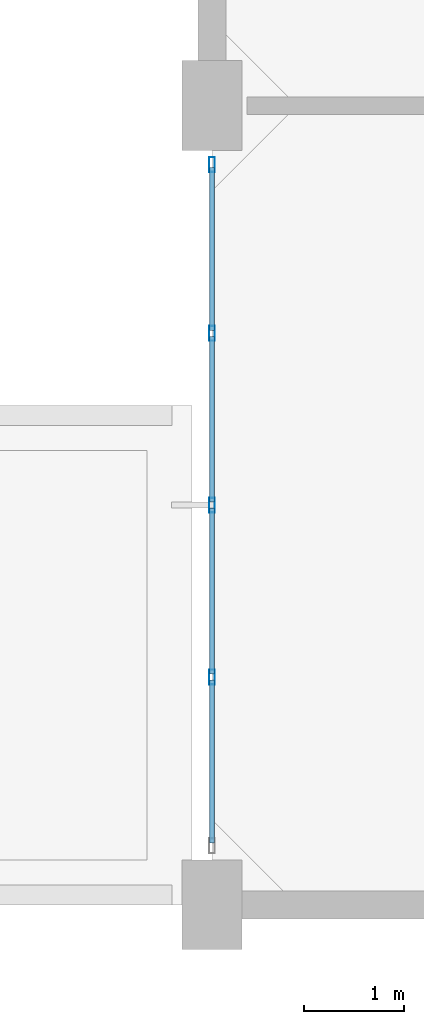
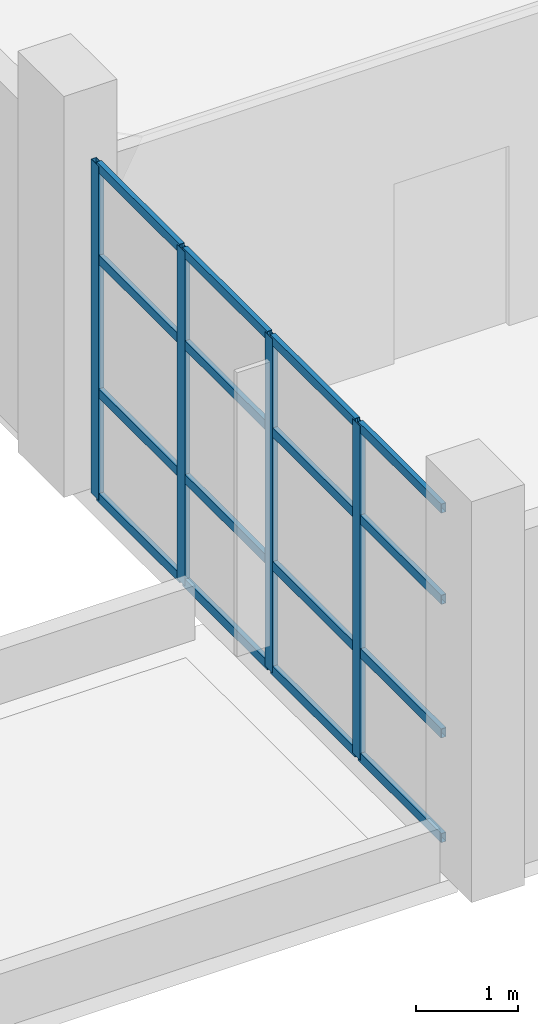
# One storey, part 12 of 63: 20 members, 1 element without a shape of its own.
"""IFC4 building model written with IfcOpenShell, lengths in metres."""

from ifc_helpers import new_model, si_unit, direction, frame, origin, origin_2d, place, context, subcontext, project, spatial, hollow_rectangle, extrude, material, layer, layer_set, material_profile, profile_set, type_object, element, aggregate, save


model = new_model("IFC4")

# Units and contexts
model_context = context("Model", 3, precision=1e-05, world=origin(), true_north=direction((0.0, 1.0)))
body_context = subcontext(model_context, "Body", "Model", "MODEL_VIEW")
ifc_project = project(units=[si_unit("LENGTHUNIT", "METRE"), si_unit("AREAUNIT", "SQUARE_METRE"), si_unit("VOLUMEUNIT", "CUBIC_METRE"), si_unit("PLANEANGLEUNIT", "RADIAN"), si_unit("MASSUNIT", "GRAM", prefix="KILO")], contexts=[model_context])

# Site, building, storey
site_placement = place(None, origin())
site = spatial("IfcSite", under=ifc_project, at=site_placement, CompositionType="ELEMENT")
building_placement = place(site_placement, origin())
building = spatial("IfcBuilding", under=site, at=building_placement, Name="Canggui Botanical Conservatory", CompositionType="ELEMENT")
storey_placement = place(building_placement, frame((0.0, 0.0, 10.199951171875)))
storey = spatial("IfcBuildingStorey", under=building, at=storey_placement, Name="L03", CompositionType="ELEMENT", Elevation=10.199951171875)

# Curtain wall, members
ifc_material = material(Name="Thermally Broken Aluminium", Category="aluminium")
ifc_layer = layer(ifc_material, 0.14990234375, Name="Thermally Broken Aluminium", Category="aluminium")
ifc_layer_set = layer_set([ifc_layer], Name="Thermally Broken Aluminium")
curtain_wall_type = type_object("IfcCurtainWallType", Name="CW-UNIT-C", PredefinedType="USERDEFINED", material=ifc_layer_set)
curtain_wall_placement = place(storey_placement, origin())
curtain_wall = element("IfcCurtainWall", 1, at=curtain_wall_placement, inside=storey, type_object=curtain_wall_type, Name="Facade Curtain Wall CW-TWR-L03-07", ObjectType="UNITISED CURTAIN WALL", PredefinedType="USERDEFINED")
ifc_material_profile_1 = material_profile(ifc_material, hollow_rectangle(XDim=0.06005859375, YDim=0.14990234375, WallThickness=0.00341796875, at=origin_2d()), Name="CWM 60x150x3.5")
ifc_profile_set_1 = profile_set([ifc_material_profile_1], Name="Thermally Broken Aluminium")
member_type_1 = type_object("IfcMemberType", Name="CWM-03", PredefinedType="MULLION", material=ifc_profile_set_1)
member_1_placement = place(storey_placement, frame((130.0, 28.280029296875, 0.0), z_axis=(0.0, 0.0, 1.0), x_axis=(-1.0, 0.0, 0.0)))
member_1 = element("IfcMember", 2, at=member_1_placement, type_object=member_type_1, Name="CW-03 mullion 2", PredefinedType="MULLION", context=body_context, shape_type="SweptSolid", body=[
    extrude(hollow_rectangle(XDim=0.06005859375, YDim=0.14990234375, WallThickness=0.00341796875, at=origin_2d()), origin(), (0.0, 0.0, 1.0), 4.0),
])
member_2_placement = place(storey_placement, frame((130.0, 30.0, 0.0), z_axis=(0.0, 0.0, 1.0), x_axis=(-1.0, 0.0, 0.0)))
member_2 = element("IfcMember", 3, at=member_2_placement, type_object=member_type_1, Name="CW-03 mullion 3", PredefinedType="MULLION", context=body_context, shape_type="SweptSolid", body=[
    extrude(hollow_rectangle(XDim=0.06005859375, YDim=0.14990234375, WallThickness=0.00341796875, at=origin_2d()), origin(), (0.0, 0.0, 1.0), 4.0),
])
member_3_placement = place(storey_placement, frame((130.0, 31.719970703125, 0.0), z_axis=(0.0, 0.0, 1.0), x_axis=(-1.0, 0.0, 0.0)))
member_3 = element("IfcMember", 4, at=member_3_placement, type_object=member_type_1, Name="CW-03 mullion 4", PredefinedType="MULLION", context=body_context, shape_type="SweptSolid", body=[
    extrude(hollow_rectangle(XDim=0.06005859375, YDim=0.14990234375, WallThickness=0.00341796875, at=origin_2d()), origin(), (0.0, 0.0, 1.0), 4.0),
])
member_4_placement = place(storey_placement, frame((130.0, 33.409912109375, 0.0), z_axis=(0.0, 0.0, 1.0), x_axis=(-1.0, 0.0, 0.0)))
member_4 = element("IfcMember", 5, at=member_4_placement, type_object=member_type_1, Name="CW-03 mullion 5", PredefinedType="MULLION", context=body_context, shape_type="SweptSolid", body=[
    extrude(hollow_rectangle(XDim=0.06005859375, YDim=0.14990234375, WallThickness=0.00341796875, at=origin_2d()), origin(), (0.0, 0.0, 1.0), 4.0),
])
ifc_material_profile_2 = material_profile(ifc_material, hollow_rectangle(XDim=0.054931640625, YDim=0.110107421875, WallThickness=0.0029296875, at=origin_2d()), Name="CWT 55x110x3")
ifc_profile_set_2 = profile_set([ifc_material_profile_2], Name="Thermally Broken Aluminium")
member_type_2 = type_object("IfcMemberType", Name="CWT-03", PredefinedType="USERDEFINED", material=ifc_profile_set_2)
member_5_placement = place(storey_placement, frame((130.0, 26.6201171875, 0.027587890625), z_axis=(0.0, 1.0, 0.0), x_axis=(-1.0, 0.0, 0.0)))
member_5 = element("IfcMember", 6, at=member_5_placement, type_object=member_type_2, Name="CW-03 transom 1.1", ObjectType="TRANSOM", PredefinedType="USERDEFINED", context=body_context, shape_type="SweptSolid", body=[
    extrude(hollow_rectangle(XDim=0.054931640625, YDim=0.110107421875, WallThickness=0.0029296875, at=origin_2d()), origin(), (0.0, 0.0, 1.0), 1.6298828125),
])
member_6_placement = place(storey_placement, frame((130.0, 26.6201171875, 1.280029296875), z_axis=(0.0, 1.0, 0.0), x_axis=(-1.0, 0.0, 0.0)))
member_6 = element("IfcMember", 7, at=member_6_placement, type_object=member_type_2, Name="CW-03 transom 1.2", ObjectType="TRANSOM", PredefinedType="USERDEFINED", context=body_context, shape_type="SweptSolid", body=[
    extrude(hollow_rectangle(XDim=0.054931640625, YDim=0.110107421875, WallThickness=0.0029296875, at=origin_2d()), origin(), (0.0, 0.0, 1.0), 1.6298828125),
])
member_7_placement = place(storey_placement, frame((130.0, 26.6201171875, 2.880126953125), z_axis=(0.0, 1.0, 0.0), x_axis=(-1.0, 0.0, 0.0)))
member_7 = element("IfcMember", 8, at=member_7_placement, type_object=member_type_2, Name="CW-03 transom 1.3", ObjectType="TRANSOM", PredefinedType="USERDEFINED", context=body_context, shape_type="SweptSolid", body=[
    extrude(hollow_rectangle(XDim=0.054931640625, YDim=0.110107421875, WallThickness=0.0029296875, at=origin_2d()), origin(), (0.0, 0.0, 1.0), 1.6298828125),
])
member_8_placement = place(storey_placement, frame((130.0, 26.6201171875, 3.97265625), z_axis=(0.0, 1.0, 0.0), x_axis=(-1.0, 0.0, 0.0)))
member_8 = element("IfcMember", 9, at=member_8_placement, type_object=member_type_2, Name="CW-03 transom 1.4", ObjectType="TRANSOM", PredefinedType="USERDEFINED", context=body_context, shape_type="SweptSolid", body=[
    extrude(hollow_rectangle(XDim=0.054931640625, YDim=0.110107421875, WallThickness=0.0029296875, at=origin_2d()), origin(), (0.0, 0.0, 1.0), 1.6298828125),
])
member_9_placement = place(storey_placement, frame((130.0, 28.31005859375, 0.027587890625), z_axis=(0.0, 1.0, 0.0), x_axis=(-1.0, 0.0, 0.0)))
member_9 = element("IfcMember", 10, at=member_9_placement, type_object=member_type_2, Name="CW-03 transom 2.1", ObjectType="TRANSOM", PredefinedType="USERDEFINED", context=body_context, shape_type="SweptSolid", body=[
    extrude(hollow_rectangle(XDim=0.054931640625, YDim=0.110107421875, WallThickness=0.0029296875, at=origin_2d()), origin(), (0.0, 0.0, 1.0), 1.659912109375),
])
member_10_placement = place(storey_placement, frame((130.0, 28.31005859375, 1.280029296875), z_axis=(0.0, 1.0, 0.0), x_axis=(-1.0, 0.0, 0.0)))
member_10 = element("IfcMember", 11, at=member_10_placement, type_object=member_type_2, Name="CW-03 transom 2.2", ObjectType="TRANSOM", PredefinedType="USERDEFINED", context=body_context, shape_type="SweptSolid", body=[
    extrude(hollow_rectangle(XDim=0.054931640625, YDim=0.110107421875, WallThickness=0.0029296875, at=origin_2d()), origin(), (0.0, 0.0, 1.0), 1.659912109375),
])
member_11_placement = place(storey_placement, frame((130.0, 28.31005859375, 2.880126953125), z_axis=(0.0, 1.0, 0.0), x_axis=(-1.0, 0.0, 0.0)))
member_11 = element("IfcMember", 12, at=member_11_placement, type_object=member_type_2, Name="CW-03 transom 2.3", ObjectType="TRANSOM", PredefinedType="USERDEFINED", context=body_context, shape_type="SweptSolid", body=[
    extrude(hollow_rectangle(XDim=0.054931640625, YDim=0.110107421875, WallThickness=0.0029296875, at=origin_2d()), origin(), (0.0, 0.0, 1.0), 1.659912109375),
])
member_12_placement = place(storey_placement, frame((130.0, 28.31005859375, 3.97265625), z_axis=(0.0, 1.0, 0.0), x_axis=(-1.0, 0.0, 0.0)))
member_12 = element("IfcMember", 13, at=member_12_placement, type_object=member_type_2, Name="CW-03 transom 2.4", ObjectType="TRANSOM", PredefinedType="USERDEFINED", context=body_context, shape_type="SweptSolid", body=[
    extrude(hollow_rectangle(XDim=0.054931640625, YDim=0.110107421875, WallThickness=0.0029296875, at=origin_2d()), origin(), (0.0, 0.0, 1.0), 1.659912109375),
])
member_13_placement = place(storey_placement, frame((130.0, 30.030029296875, 0.027587890625), z_axis=(0.0, 1.0, 0.0), x_axis=(-1.0, 0.0, 0.0)))
member_13 = element("IfcMember", 14, at=member_13_placement, type_object=member_type_2, Name="CW-03 transom 3.1", ObjectType="TRANSOM", PredefinedType="USERDEFINED", context=body_context, shape_type="SweptSolid", body=[
    extrude(hollow_rectangle(XDim=0.054931640625, YDim=0.110107421875, WallThickness=0.0029296875, at=origin_2d()), origin(), (0.0, 0.0, 1.0), 1.659912109375),
])
member_14_placement = place(storey_placement, frame((130.0, 30.030029296875, 1.280029296875), z_axis=(0.0, 1.0, 0.0), x_axis=(-1.0, 0.0, 0.0)))
member_14 = element("IfcMember", 15, at=member_14_placement, type_object=member_type_2, Name="CW-03 transom 3.2", ObjectType="TRANSOM", PredefinedType="USERDEFINED", context=body_context, shape_type="SweptSolid", body=[
    extrude(hollow_rectangle(XDim=0.054931640625, YDim=0.110107421875, WallThickness=0.0029296875, at=origin_2d()), origin(), (0.0, 0.0, 1.0), 1.659912109375),
])
member_15_placement = place(storey_placement, frame((130.0, 30.030029296875, 2.880126953125), z_axis=(0.0, 1.0, 0.0), x_axis=(-1.0, 0.0, 0.0)))
member_15 = element("IfcMember", 16, at=member_15_placement, type_object=member_type_2, Name="CW-03 transom 3.3", ObjectType="TRANSOM", PredefinedType="USERDEFINED", context=body_context, shape_type="SweptSolid", body=[
    extrude(hollow_rectangle(XDim=0.054931640625, YDim=0.110107421875, WallThickness=0.0029296875, at=origin_2d()), origin(), (0.0, 0.0, 1.0), 1.659912109375),
])
member_16_placement = place(storey_placement, frame((130.0, 30.030029296875, 3.97265625), z_axis=(0.0, 1.0, 0.0), x_axis=(-1.0, 0.0, 0.0)))
member_16 = element("IfcMember", 17, at=member_16_placement, type_object=member_type_2, Name="CW-03 transom 3.4", ObjectType="TRANSOM", PredefinedType="USERDEFINED", context=body_context, shape_type="SweptSolid", body=[
    extrude(hollow_rectangle(XDim=0.054931640625, YDim=0.110107421875, WallThickness=0.0029296875, at=origin_2d()), origin(), (0.0, 0.0, 1.0), 1.659912109375),
])
member_17_placement = place(storey_placement, frame((130.0, 31.75, 0.027587890625), z_axis=(0.0, 1.0, 0.0), x_axis=(-1.0, 0.0, 0.0)))
member_17 = element("IfcMember", 18, at=member_17_placement, type_object=member_type_2, Name="CW-03 transom 4.1", ObjectType="TRANSOM", PredefinedType="USERDEFINED", context=body_context, shape_type="SweptSolid", body=[
    extrude(hollow_rectangle(XDim=0.054931640625, YDim=0.110107421875, WallThickness=0.0029296875, at=origin_2d()), origin(), (0.0, 0.0, 1.0), 1.6298828125),
])
member_18_placement = place(storey_placement, frame((130.0, 31.75, 1.280029296875), z_axis=(0.0, 1.0, 0.0), x_axis=(-1.0, 0.0, 0.0)))
member_18 = element("IfcMember", 19, at=member_18_placement, type_object=member_type_2, Name="CW-03 transom 4.2", ObjectType="TRANSOM", PredefinedType="USERDEFINED", context=body_context, shape_type="SweptSolid", body=[
    extrude(hollow_rectangle(XDim=0.054931640625, YDim=0.110107421875, WallThickness=0.0029296875, at=origin_2d()), origin(), (0.0, 0.0, 1.0), 1.6298828125),
])
member_19_placement = place(storey_placement, frame((130.0, 31.75, 2.880126953125), z_axis=(0.0, 1.0, 0.0), x_axis=(-1.0, 0.0, 0.0)))
member_19 = element("IfcMember", 20, at=member_19_placement, type_object=member_type_2, Name="CW-03 transom 4.3", ObjectType="TRANSOM", PredefinedType="USERDEFINED", context=body_context, shape_type="SweptSolid", body=[
    extrude(hollow_rectangle(XDim=0.054931640625, YDim=0.110107421875, WallThickness=0.0029296875, at=origin_2d()), origin(), (0.0, 0.0, 1.0), 1.6298828125),
])
member_20_placement = place(storey_placement, frame((130.0, 31.75, 3.97265625), z_axis=(0.0, 1.0, 0.0), x_axis=(-1.0, 0.0, 0.0)))
member_20 = element("IfcMember", 21, at=member_20_placement, type_object=member_type_2, Name="CW-03 transom 4.4", ObjectType="TRANSOM", PredefinedType="USERDEFINED", context=body_context, shape_type="SweptSolid", body=[
    extrude(hollow_rectangle(XDim=0.054931640625, YDim=0.110107421875, WallThickness=0.0029296875, at=origin_2d()), origin(), (0.0, 0.0, 1.0), 1.6298828125),
])
aggregate(curtain_wall, [member_1, member_2, member_3, member_4, member_5, member_6, member_7, member_8, member_9, member_10, member_11, member_12, member_13, member_14, member_15, member_16, member_17, member_18, member_19, member_20])

save(model, "model.ifc")
